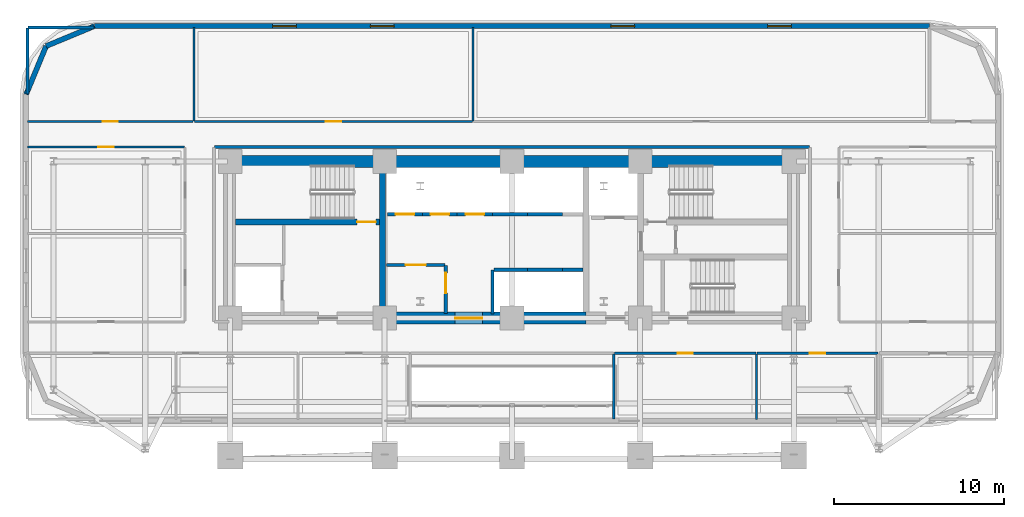
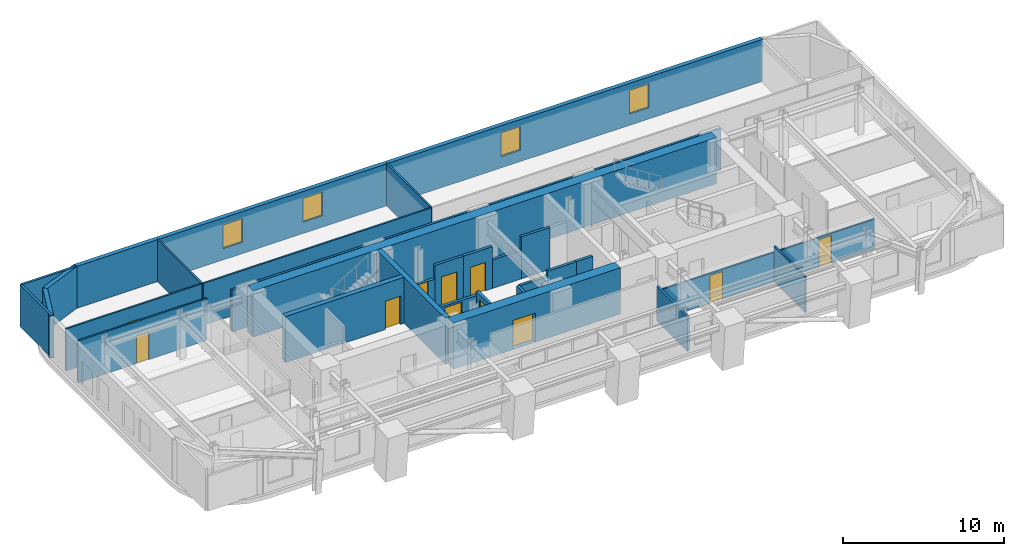
# One storey, part 8 of 15: 30 walls, 12 doors, 4 windows, 16 openings.
"""IFC4 building model written with IfcOpenShell, lengths in metres."""

from ifc_helpers import new_model, si_unit, direction, frame, frame_2d, origin, place, context, subcontext, project, spatial, rectangle, extrude, material, layer, layer_set, type_object, element, fill, save


model = new_model("IFC4")

# Units and contexts
model_context = context("Model", 3, precision=1e-05, world=origin(), true_north=direction((0.0, 1.0)))
body_context = subcontext(model_context, "Body", "Model", "MODEL_VIEW")
ifc_project = project(units=[si_unit("LENGTHUNIT", "METRE"), si_unit("AREAUNIT", "SQUARE_METRE"), si_unit("VOLUMEUNIT", "CUBIC_METRE"), si_unit("PLANEANGLEUNIT", "RADIAN"), si_unit("MASSUNIT", "GRAM", prefix="KILO")], contexts=[model_context])

# Site, building, storey
site_placement = place(None, origin())
site = spatial("IfcSite", under=ifc_project, at=site_placement, CompositionType="ELEMENT")
building_placement = place(site_placement, origin())
building = spatial("IfcBuilding", under=site, at=building_placement, Name="Zarnavel Station Tower", CompositionType="ELEMENT")
storey_placement = place(building_placement, frame((0.0, 0.0, 71.0)))
storey = spatial("IfcBuildingStorey", under=building, at=storey_placement, Name="L19", CompositionType="ELEMENT", Elevation=71.0)

# Wall
ifc_material_1 = material(Name="Concrete C50/60", Category="concrete")
ifc_layer_1 = layer(ifc_material_1, 0.35009765625)
ifc_layer_set_1 = layer_set([ifc_layer_1], Name="CW_350")
wall_type_1 = type_object("IfcWallType", Name="CW_350", PredefinedType="SHEAR", material=ifc_layer_set_1)
wall_1_placement = place(storey_placement, frame((21.179931640625, 28.169921875, 0.0), z_axis=(0.0, 0.0, 1.0), x_axis=(0.0, 1.0, 0.0)))
element("IfcWall", 1, at=wall_1_placement, inside=storey, type_object=wall_type_1, Name="L19 Rear Core Shear Wall DIV-W", PredefinedType="SHEAR", context=body_context, shape_type="SweptSolid", body=[
    extrude(rectangle(XDim=8.530029296875, YDim=0.35009765625, at=frame_2d((4.26513671875, 0.0))), origin(), (0.0, 0.0, 1.0), 3.5),
])

# Wall, opening, door
wall_2_placement = place(storey_placement, frame((21.0048828125, 33.47998046875, 0.0), z_axis=(0.0, 0.0, 1.0), x_axis=(-1.0, 0.0, 0.0)))
wall_2 = element("IfcWall", 2, at=wall_2_placement, inside=storey, type_object=wall_type_1, Name="L19 Rear Core Shear Wall DIV-H1", PredefinedType="SHEAR", context=body_context, shape_type="SweptSolid", body=[
    extrude(rectangle(XDim=8.5048828125, YDim=0.35009765625, at=frame_2d((4.25244140625, 0.0))), origin(), (0.0, 0.0, 1.0), 3.5),
])
opening_1_placement = place(wall_2_placement, frame((0.219970703125, 0.0, 0.0)))
opening_1 = element("IfcOpeningElement", 3, at=opening_1_placement, cuts=wall_2, Name="Opening FD01", PredefinedType="OPENING", context=body_context, shape_type="SweptSolid", body=[
    extrude(rectangle(XDim=1.10009765625, YDim=2.14990234375, at=frame_2d((0.550048828125, 1.074951171875))), frame((0.0, 0.18505859375, 0.0), z_axis=(0.0, -1.0, 0.0), x_axis=(1.0, 0.0, 0.0)), (0.0, 0.0, 1.0), 0.3701171875),
])
ifc_material_2 = material(Name="Painted Galvanised Steel and Hardwood Leaf", Category="steel")
door_type_1 = type_object("IfcDoorType", Name="ID_STAIR_1100", OperationType="NOTDEFINED", PredefinedType="DOOR", material=ifc_material_2)
door_1_placement = place(opening_1_placement, origin())
door_1 = element("IfcDoor", 4, at=door_1_placement, inside=storey, type_object=door_type_1, Name="L19 Stair ST1 Lobby Fire Door", OperationType="SINGLE_SWING_LEFT", OverallHeight=2.14990234375, OverallWidth=1.10009765625, PredefinedType="DOOR", context=body_context, shape_type="SweptSolid", body=[
    extrude(rectangle(XDim=1.10009765625, YDim=2.14990234375, at=frame_2d((0.550048828125, 1.074951171875))), frame((0.0, 0.02490234375, 0.0), z_axis=(0.0, -1.0, 0.0), x_axis=(1.0, 0.0, 0.0)), (0.0, 0.0, 1.0), 0.050048828125),
])
fill(opening_1, door_1)

# Wall
ifc_material_3 = material(Name="Concrete C60/75", Category="concrete")
ifc_layer_2 = layer(ifc_material_3, 0.699951171875)
ifc_layer_set_2 = layer_set([ifc_layer_2], Name="CW_700")
wall_type_2 = type_object("IfcWallType", Name="CW_700", PredefinedType="SHEAR", material=ifc_layer_set_2)
wall_3_placement = place(storey_placement, frame((12.14990234375, 37.050048828125, 0.0), z_axis=(0.0, 0.0, 1.0), x_axis=(1.0, 0.0, 0.0)))
element("IfcWall", 5, at=wall_3_placement, inside=storey, type_object=wall_type_2, Name="L19 Rear Core Shear Wall N", PredefinedType="SHEAR", context=body_context, shape_type="SweptSolid", body=[
    extrude(rectangle(XDim=33.22998046875, YDim=0.699951171875, at=frame_2d((16.614990234375, 0.0))), origin(), (0.0, 0.0, 1.0), 3.5),
])

# Wall, opening, door
wall_4_placement = place(storey_placement, frame((33.14990234375, 27.820068359375, 0.0), z_axis=(0.0, 0.0, 1.0), x_axis=(-1.0, 0.0, 0.0)))
wall_4 = element("IfcWall", 6, at=wall_4_placement, inside=storey, type_object=wall_type_2, Name="L19 Rear Core Shear Wall S-M", PredefinedType="SHEAR", context=body_context, shape_type="SweptSolid", body=[
    extrude(rectangle(XDim=11.969970703125, YDim=0.699951171875, at=frame_2d((5.98486328125, 0.0))), origin(), (0.0, 0.0, 1.0), 3.5),
])
opening_2_placement = place(wall_4_placement, frame((6.10009765625, 0.0, 0.0)))
opening_2 = element("IfcOpeningElement", 7, at=opening_2_placement, cuts=wall_4, Name="Opening ID03", PredefinedType="OPENING", context=body_context, shape_type="SweptSolid", body=[
    extrude(rectangle(XDim=1.60009765625, YDim=2.199951171875, at=frame_2d((0.800048828125, 1.10009765625))), frame((0.0, 0.35986328125, 0.0), z_axis=(0.0, -1.0, 0.0), x_axis=(1.0, 0.0, 0.0)), (0.0, 0.0, 1.0), 0.719970703125),
])
ifc_material_4 = material(Name="Painted Galvanised Steel and Hardwood Leaf", Category="steel")
door_type_2 = type_object("IfcDoorType", Name="ID_PUBLIC_1600", OperationType="DOUBLE_DOOR_SINGLE_SWING", PredefinedType="DOOR", material=ifc_material_4)
door_2_placement = place(opening_2_placement, origin())
door_2 = element("IfcDoor", 8, at=door_2_placement, inside=storey, type_object=door_type_2, Name="L19 Passenger Lift Lobby Double Door", OperationType="SINGLE_SWING_LEFT", OverallHeight=2.199951171875, OverallWidth=1.60009765625, PredefinedType="DOOR", context=body_context, shape_type="SweptSolid", body=[
    extrude(rectangle(XDim=1.60009765625, YDim=2.199951171875, at=frame_2d((0.800048828125, 1.10009765625))), frame((0.0, 0.02490234375, 0.0), z_axis=(0.0, -1.0, 0.0), x_axis=(1.0, 0.0, 0.0)), (0.0, 0.0, 1.0), 0.050048828125),
])
fill(opening_2, door_2)

# Wall, openings, windows
ifc_material_5 = material(Name="Precast concrete C45/55 (Dark Basalt Finish)", Category="masonry")
ifc_layer_3 = layer(ifc_material_5, 0.300048828125)
ifc_layer_set_3 = layer_set([ifc_layer_3], Name="EW_BASALT_300")
wall_type_3 = type_object("IfcWallType", Name="EW_BASALT_300", PredefinedType="SOLIDWALL", material=ifc_layer_set_3)
wall_5_placement = place(storey_placement, frame((4.199951171875, 45.02001953125, 0.0), z_axis=(0.0, 0.0, 1.0), x_axis=(1.0, 0.0, 0.0)))
wall_5 = element("IfcWall", 9, at=wall_5_placement, inside=storey, type_object=wall_type_3, Name="L19 Exterior Basalt Masonry Frame Wall 06", PredefinedType="SOLIDWALL", context=body_context, shape_type="SweptSolid", body=[
    extrude(rectangle(XDim=49.199951171875, YDim=0.300048828125, at=frame_2d((24.60009765625, 0.0))), origin(), (0.0, 0.0, 1.0), 3.179931640625),
])
opening_3_placement = place(wall_5_placement, frame((10.506591796875, 0.0, 0.85009765625)))
opening_3 = element("IfcOpeningElement", 10, at=opening_3_placement, cuts=wall_5, Name="Opening WN01", PredefinedType="OPENING", context=body_context, shape_type="SweptSolid", body=[
    extrude(rectangle(XDim=1.39990234375, YDim=1.800048828125, at=frame_2d((0.699951171875, 0.89990234375))), frame((0.0, 0.159912109375, 0.0), z_axis=(0.0, -1.0, 0.0), x_axis=(1.0, 0.0, 0.0)), (0.0, 0.0, 1.0), 0.320068359375),
])
opening_4_placement = place(wall_5_placement, frame((16.25341796875, 0.0, 0.85009765625)))
opening_4 = element("IfcOpeningElement", 11, at=opening_4_placement, cuts=wall_5, Name="Opening WN01", PredefinedType="OPENING", context=body_context, shape_type="SweptSolid", body=[
    extrude(rectangle(XDim=1.39990234375, YDim=1.800048828125, at=frame_2d((0.699951171875, 0.89990234375))), frame((0.0, 0.159912109375, 0.0), z_axis=(0.0, -1.0, 0.0), x_axis=(1.0, 0.0, 0.0)), (0.0, 0.0, 1.0), 0.320068359375),
])
opening_5_placement = place(wall_5_placement, frame((30.4267578125, 0.0, 0.85009765625)))
opening_5 = element("IfcOpeningElement", 12, at=opening_5_placement, cuts=wall_5, Name="Opening WN01", PredefinedType="OPENING", context=body_context, shape_type="SweptSolid", body=[
    extrude(rectangle(XDim=1.39990234375, YDim=1.800048828125, at=frame_2d((0.699951171875, 0.89990234375))), frame((0.0, 0.159912109375, 0.0), z_axis=(0.0, -1.0, 0.0), x_axis=(1.0, 0.0, 0.0)), (0.0, 0.0, 1.0), 0.320068359375),
])
opening_6_placement = place(wall_5_placement, frame((39.6533203125, 0.0, 0.85009765625)))
opening_6 = element("IfcOpeningElement", 13, at=opening_6_placement, cuts=wall_5, Name="Opening WN01", PredefinedType="OPENING", context=body_context, shape_type="SweptSolid", body=[
    extrude(rectangle(XDim=1.39990234375, YDim=1.800048828125, at=frame_2d((0.699951171875, 0.89990234375))), frame((0.0, 0.159912109375, 0.0), z_axis=(0.0, -1.0, 0.0), x_axis=(1.0, 0.0, 0.0)), (0.0, 0.0, 1.0), 0.320068359375),
])
ifc_material_6 = material(Name="Thermally Broken Black Aluminium and Low-E Dark Glass", Category="aluminium")
window_type = type_object("IfcWindowType", Name="WN_1400x1800", PartitioningType="DOUBLE_PANEL_VERTICAL", PredefinedType="WINDOW", material=ifc_material_6)
window_1_placement = place(opening_3_placement, origin())
window_1 = element("IfcWindow", 14, at=window_1_placement, inside=storey, type_object=window_type, Name="L19 Recessed Facade Window 01", OverallHeight=1.800048828125, OverallWidth=1.39990234375, PartitioningType="SINGLE_PANEL", PredefinedType="WINDOW", context=body_context, shape_type="SweptSolid", body=[
    extrude(rectangle(XDim=1.39990234375, YDim=1.800048828125, at=frame_2d((0.699951171875, 0.89990234375))), frame((0.0, 0.030029296875, 0.0), z_axis=(0.0, -1.0, 0.0), x_axis=(1.0, 0.0, 0.0)), (0.0, 0.0, 1.0), 0.06005859375),
])
fill(opening_3, window_1)
window_2_placement = place(opening_4_placement, origin())
window_2 = element("IfcWindow", 15, at=window_2_placement, inside=storey, type_object=window_type, Name="L19 Recessed Facade Window 02", OverallHeight=1.800048828125, OverallWidth=1.39990234375, PartitioningType="SINGLE_PANEL", PredefinedType="WINDOW", context=body_context, shape_type="SweptSolid", body=[
    extrude(rectangle(XDim=1.39990234375, YDim=1.800048828125, at=frame_2d((0.699951171875, 0.89990234375))), frame((0.0, 0.030029296875, 0.0), z_axis=(0.0, -1.0, 0.0), x_axis=(1.0, 0.0, 0.0)), (0.0, 0.0, 1.0), 0.06005859375),
])
fill(opening_4, window_2)
window_3_placement = place(opening_5_placement, origin())
window_3 = element("IfcWindow", 16, at=window_3_placement, inside=storey, type_object=window_type, Name="L19 Recessed Facade Window 03", OverallHeight=1.800048828125, OverallWidth=1.39990234375, PartitioningType="SINGLE_PANEL", PredefinedType="WINDOW", context=body_context, shape_type="SweptSolid", body=[
    extrude(rectangle(XDim=1.39990234375, YDim=1.800048828125, at=frame_2d((0.699951171875, 0.89990234375))), frame((0.0, 0.030029296875, 0.0), z_axis=(0.0, -1.0, 0.0), x_axis=(1.0, 0.0, 0.0)), (0.0, 0.0, 1.0), 0.06005859375),
])
fill(opening_5, window_3)
window_4_placement = place(opening_6_placement, origin())
window_4 = element("IfcWindow", 17, at=window_4_placement, inside=storey, type_object=window_type, Name="L19 Recessed Facade Window 04", OverallHeight=1.800048828125, OverallWidth=1.39990234375, PartitioningType="SINGLE_PANEL", PredefinedType="WINDOW", context=body_context, shape_type="SweptSolid", body=[
    extrude(rectangle(XDim=1.39990234375, YDim=1.800048828125, at=frame_2d((0.699951171875, 0.89990234375))), frame((0.0, 0.030029296875, 0.0), z_axis=(0.0, -1.0, 0.0), x_axis=(1.0, 0.0, 0.0)), (0.0, 0.0, 1.0), 0.06005859375),
])
fill(opening_6, window_4)

# Walls
for number, where, z_axis, x_axis, name in (
    (18, (1.357421875, 43.842529296875, 0.0), (0.0, 0.0, 1.0), (0.923870793506, 0.382704529509, 0.0), "L19 Exterior Basalt Masonry Frame Wall 07"),
    (19, (0.179931640625, 41.0, 0.0), (0.0, 0.0, 1.0), (0.382704529509, 0.923870793506, 0.0), "L19 Exterior Basalt Masonry Frame Wall 08"),
):
    element("IfcWall", number, at=place(storey_placement, frame(where, z_axis=z_axis, x_axis=x_axis)), inside=storey, type_object=wall_type_3, Name=name, PredefinedType="SOLIDWALL", context=body_context, shape_type="SweptSolid", body=[
        extrude(rectangle(XDim=3.07666015625, YDim=0.300048828125, at=frame_2d((1.538330078125, 0.0))), origin(), (0.0, 0.0, 1.0), 3.179931640625),
    ])
ifc_material_7 = material(Name="Gypsum Twin-Stud Acoustic Fire Partition", Category="concrete")
ifc_layer_4 = layer(ifc_material_7, 0.159912109375)
ifc_layer_set_4 = layer_set([ifc_layer_4], Name="PT_DEMISE_160")
wall_type_4 = type_object("IfcWallType", Name="PT_DEMISE_160", PredefinedType="PARTITIONING", material=ifc_layer_set_4)
wall_6_placement = place(storey_placement, frame((11.280029296875, 37.89990234375, 0.0), z_axis=(0.0, 0.0, 1.0), x_axis=(1.0, 0.0, 0.0)))
element("IfcWall", 20, at=wall_6_placement, inside=storey, type_object=wall_type_4, Name="L19 Enclosure Wall COR-N", PredefinedType="PARTITIONING", context=body_context, shape_type="SweptSolid", body=[
    extrude(rectangle(XDim=35.0400390625, YDim=0.159912109375, at=frame_2d((17.52001953125, 0.0))), origin(), (0.0, 0.0, 1.0), 3.179931640625),
])
for number, where, z_axis, x_axis, name in (
    (21, (0.2900390625, 44.93994140625, 0.0), (0.0, 0.0, 1.0), (1.0, 0.0, 0.0), "L19 Enclosure Wall HSKP"),
    (22, (0.260009765625, 41.030029296875, 0.0), (0.0, 0.0, 1.0), (0.0, 1.0, 0.0), "L19 Enclosure Wall HSKP"),
):
    element("IfcWall", number, at=place(storey_placement, frame(where, z_axis=z_axis, x_axis=x_axis)), inside=storey, type_object=wall_type_4, Name=name, PredefinedType="PARTITIONING", context=body_context, shape_type="SweptSolid", body=[
        extrude(rectangle(XDim=3.8798828125, YDim=0.159912109375, at=frame_2d((1.93994140625, 0.0))), origin(), (0.0, 0.0, 1.0), 3.179931640625),
    ])
wall_7_placement = place(storey_placement, frame((34.800048828125, 21.889892578125, 0.0), z_axis=(0.0, 0.0, 1.0), x_axis=(0.0, 1.0, 0.0)))
element("IfcWall", 23, at=wall_7_placement, inside=storey, type_object=wall_type_4, Name="L19 Enclosure Wall Z1DIN", PredefinedType="PARTITIONING", context=body_context, shape_type="SweptSolid", body=[
    extrude(rectangle(XDim=3.830078125, YDim=0.159912109375, at=frame_2d((1.9150390625, 0.0))), origin(), (0.0, 0.0, 1.0), 2.6201171875),
])

# Wall, opening, door
ifc_material_8 = material(Name="Gypsum Metal-Stud Interior Partition", Category="concrete")
ifc_layer_5 = layer(ifc_material_8, 0.1201171875)
ifc_layer_set_5 = layer_set([ifc_layer_5], Name="PT_ROOM_120")
wall_type_5 = type_object("IfcWallType", Name="PT_ROOM_120", PredefinedType="PARTITIONING", material=ifc_layer_set_5)
wall_8_placement = place(storey_placement, frame((34.840087890625, 25.75, 0.0), z_axis=(0.0, 0.0, 1.0), x_axis=(1.0, 0.0, 0.0)))
wall_8 = element("IfcWall", 24, at=wall_8_placement, inside=storey, type_object=wall_type_5, Name="L19 Partition COR-S-Z1DIN", PredefinedType="PARTITIONING", context=body_context, shape_type="SweptSolid", body=[
    extrude(rectangle(XDim=8.31982421875, YDim=0.1201171875, at=frame_2d((4.159912109375, 0.0))), origin(), (0.0, 0.0, 1.0), 2.25),
])
opening_7_placement = place(wall_8_placement, frame((3.7099609375, 0.0, 0.0)))
opening_7 = element("IfcOpeningElement", 25, at=opening_7_placement, cuts=wall_8, Name="Opening ID01", PredefinedType="OPENING", context=body_context, shape_type="SweptSolid", body=[
    extrude(rectangle(XDim=0.89990234375, YDim=2.10009765625, at=frame_2d((0.449951171875, 1.050048828125))), frame((0.0, 0.070068359375, 0.0), z_axis=(0.0, -1.0, 0.0), x_axis=(1.0, 0.0, 0.0)), (0.0, 0.0, 1.0), 0.14013671875),
])
ifc_material_9 = material(Name="Painted Galvanised Steel and Hardwood Leaf", Category="steel")
door_type_3 = type_object("IfcDoorType", Name="ID_ROOM_900", OperationType="NOTDEFINED", PredefinedType="DOOR", material=ifc_material_9)
door_3_placement = place(opening_7_placement, origin())
door_3 = element("IfcDoor", 26, at=door_3_placement, inside=storey, type_object=door_type_3, Name="L19 Door COR-S-Z1DIN", OperationType="SINGLE_SWING_LEFT", OverallHeight=2.10009765625, OverallWidth=0.89990234375, PredefinedType="DOOR", context=body_context, shape_type="SweptSolid", body=[
    extrude(rectangle(XDim=0.89990234375, YDim=2.10009765625, at=frame_2d((0.449951171875, 1.050048828125))), frame((0.0, 0.02490234375, 0.0), z_axis=(0.0, -1.0, 0.0), x_axis=(1.0, 0.0, 0.0)), (0.0, 0.0, 1.0), 0.050048828125),
])
fill(opening_7, door_3)

wall_9_placement = place(storey_placement, frame((43.239990234375, 25.75, 0.0), z_axis=(0.0, 0.0, 1.0), x_axis=(1.0, 0.0, 0.0)))
wall_9 = element("IfcWall", 27, at=wall_9_placement, inside=storey, type_object=wall_type_5, Name="L19 Partition COR-S-Z1BAR", PredefinedType="PARTITIONING", context=body_context, shape_type="SweptSolid", body=[
    extrude(rectangle(XDim=7.1201171875, YDim=0.1201171875, at=frame_2d((3.56005859375, 0.0))), origin(), (0.0, 0.0, 1.0), 2.25),
])
opening_8_placement = place(wall_9_placement, frame((3.110107421875, 0.0, 0.0)))
opening_8 = element("IfcOpeningElement", 28, at=opening_8_placement, cuts=wall_9, Name="Opening ID01", PredefinedType="OPENING", context=body_context, shape_type="SweptSolid", body=[
    extrude(rectangle(XDim=0.89990234375, YDim=2.10009765625, at=frame_2d((0.449951171875, 1.050048828125))), frame((0.0, 0.070068359375, 0.0), z_axis=(0.0, -1.0, 0.0), x_axis=(1.0, 0.0, 0.0)), (0.0, 0.0, 1.0), 0.14013671875),
])
door_4_placement = place(opening_8_placement, origin())
door_4 = element("IfcDoor", 29, at=door_4_placement, inside=storey, type_object=door_type_3, Name="L19 Door COR-S-Z1BAR", OperationType="SINGLE_SWING_RIGHT", OverallHeight=2.10009765625, OverallWidth=0.89990234375, PredefinedType="DOOR", context=body_context, shape_type="SweptSolid", body=[
    extrude(rectangle(XDim=0.89990234375, YDim=2.10009765625, at=frame_2d((0.449951171875, 1.050048828125))), frame((0.0, 0.02490234375, 0.0), z_axis=(0.0, -1.0, 0.0), x_axis=(1.0, 0.0, 0.0)), (0.0, 0.0, 1.0), 0.050048828125),
])
fill(opening_8, door_4)

wall_10_placement = place(storey_placement, frame((0.260009765625, 37.89990234375, 0.0), z_axis=(0.0, 0.0, 1.0), x_axis=(1.0, 0.0, 0.0)))
wall_10 = element("IfcWall", 30, at=wall_10_placement, inside=storey, type_object=wall_type_5, Name="L19 Partition COR-N-FNW6B", PredefinedType="PARTITIONING", context=body_context, shape_type="SweptSolid", body=[
    extrude(rectangle(XDim=9.25, YDim=0.1201171875, at=frame_2d((4.625, 0.0))), origin(), (0.0, 0.0, 1.0), 3.179931640625),
])
opening_9_placement = place(wall_10_placement, frame((4.175048828125, 0.0, 0.0)))
opening_9 = element("IfcOpeningElement", 31, at=opening_9_placement, cuts=wall_10, Name="Opening ID01", PredefinedType="OPENING", context=body_context, shape_type="SweptSolid", body=[
    extrude(rectangle(XDim=0.89990234375, YDim=2.10009765625, at=frame_2d((0.449951171875, 1.050048828125))), frame((0.0, 0.070068359375, 0.0), z_axis=(0.0, -1.0, 0.0), x_axis=(1.0, 0.0, 0.0)), (0.0, 0.0, 1.0), 0.14013671875),
])
door_5_placement = place(opening_9_placement, origin())
door_5 = element("IfcDoor", 32, at=door_5_placement, inside=storey, type_object=door_type_3, Name="L19 Door COR-N-FNW6B", OperationType="SINGLE_SWING_RIGHT", OverallHeight=2.10009765625, OverallWidth=0.89990234375, PredefinedType="DOOR", context=body_context, shape_type="SweptSolid", body=[
    extrude(rectangle(XDim=0.89990234375, YDim=2.10009765625, at=frame_2d((0.449951171875, 1.050048828125))), frame((0.0, 0.02490234375, 0.0), z_axis=(0.0, -1.0, 0.0), x_axis=(1.0, 0.0, 0.0)), (0.0, 0.0, 1.0), 0.050048828125),
])
fill(opening_9, door_5)

wall_11_placement = place(storey_placement, frame((0.260009765625, 39.39990234375, 0.0), z_axis=(0.0, 0.0, 1.0), x_axis=(1.0, 0.0, 0.0)))
wall_11 = element("IfcWall", 33, at=wall_11_placement, inside=storey, type_object=wall_type_5, Name="L19 Partition COR-N-HSKP", PredefinedType="PARTITIONING", context=body_context, shape_type="SweptSolid", body=[
    extrude(rectangle(XDim=9.760009765625, YDim=0.1201171875, at=frame_2d((4.8798828125, 0.0))), origin(), (0.0, 0.0, 1.0), 3.179931640625),
])
opening_10_placement = place(wall_11_placement, frame((4.429931640625, 0.0, 0.0)))
opening_10 = element("IfcOpeningElement", 34, at=opening_10_placement, cuts=wall_11, Name="Opening ID01", PredefinedType="OPENING", context=body_context, shape_type="SweptSolid", body=[
    extrude(rectangle(XDim=0.89990234375, YDim=2.10009765625, at=frame_2d((0.449951171875, 1.050048828125))), frame((0.0, 0.070068359375, 0.0), z_axis=(0.0, -1.0, 0.0), x_axis=(1.0, 0.0, 0.0)), (0.0, 0.0, 1.0), 0.14013671875),
])
door_6_placement = place(opening_10_placement, origin())
door_6 = element("IfcDoor", 35, at=door_6_placement, inside=storey, type_object=door_type_3, Name="L19 Door COR-N-HSKP", OperationType="SINGLE_SWING_RIGHT", OverallHeight=2.10009765625, OverallWidth=0.89990234375, PredefinedType="DOOR", context=body_context, shape_type="SweptSolid", body=[
    extrude(rectangle(XDim=0.89990234375, YDim=2.10009765625, at=frame_2d((0.449951171875, 1.050048828125))), frame((0.0, 0.02490234375, 0.0), z_axis=(0.0, -1.0, 0.0), x_axis=(1.0, 0.0, 0.0)), (0.0, 0.0, 1.0), 0.050048828125),
])
fill(opening_10, door_6)

wall_12_placement = place(storey_placement, frame((10.10009765625, 39.39990234375, 0.0), z_axis=(0.0, 0.0, 1.0), x_axis=(1.0, 0.0, 0.0)))
wall_12 = element("IfcWall", 36, at=wall_12_placement, inside=storey, type_object=wall_type_5, Name="L19 Partition COR-N-NL6A", PredefinedType="PARTITIONING", context=body_context, shape_type="SweptSolid", body=[
    extrude(rectangle(XDim=16.35986328125, YDim=0.1201171875, at=frame_2d((8.179931640625, 0.0))), origin(), (0.0, 0.0, 1.0), 3.179931640625),
])
opening_11_placement = place(wall_12_placement, frame((7.72998046875, 0.0, 0.0)))
opening_11 = element("IfcOpeningElement", 37, at=opening_11_placement, cuts=wall_12, Name="Opening ID01", PredefinedType="OPENING", context=body_context, shape_type="SweptSolid", body=[
    extrude(rectangle(XDim=0.89990234375, YDim=2.10009765625, at=frame_2d((0.449951171875, 1.050048828125))), frame((0.0, 0.070068359375, 0.0), z_axis=(0.0, -1.0, 0.0), x_axis=(1.0, 0.0, 0.0)), (0.0, 0.0, 1.0), 0.14013671875),
])
door_7_placement = place(opening_11_placement, origin())
door_7 = element("IfcDoor", 38, at=door_7_placement, inside=storey, type_object=door_type_3, Name="L19 Door COR-N-NL6A", OperationType="SINGLE_SWING_LEFT", OverallHeight=2.10009765625, OverallWidth=0.89990234375, PredefinedType="DOOR", context=body_context, shape_type="SweptSolid", body=[
    extrude(rectangle(XDim=0.89990234375, YDim=2.10009765625, at=frame_2d((0.449951171875, 1.050048828125))), frame((0.0, 0.02490234375, 0.0), z_axis=(0.0, -1.0, 0.0), x_axis=(1.0, 0.0, 0.0)), (0.0, 0.0, 1.0), 0.050048828125),
])
fill(opening_11, door_7)

# Walls
for number, where, z_axis, x_axis, name in (
    (39, (10.06005859375, 39.43994140625, 0.0), (0.0, 0.0, 1.0), (0.0, 1.0, 0.0), "L19 Partition HSKP-NL6A"),
    (40, (26.5, 39.43994140625, 0.0), (0.0, 0.0, 1.0), (0.0, 1.0, 0.0), "L19 Partition NL6A-NL6B"),
):
    element("IfcWall", number, at=place(storey_placement, frame(where, z_axis=z_axis, x_axis=x_axis)), inside=storey, type_object=wall_type_5, Name=name, PredefinedType="PARTITIONING", context=body_context, shape_type="SweptSolid", body=[
        extrude(rectangle(XDim=5.5, YDim=0.1201171875, at=frame_2d((2.75, 0.0))), origin(), (0.0, 0.0, 1.0), 3.179931640625),
    ])
wall_13_placement = place(storey_placement, frame((43.199951171875, 21.860107421875, 0.0), z_axis=(0.0, 0.0, 1.0), x_axis=(0.0, 1.0, 0.0)))
element("IfcWall", 41, at=wall_13_placement, inside=storey, type_object=wall_type_5, Name="L19 Partition Z1DIN-Z1BAR", PredefinedType="PARTITIONING", context=body_context, shape_type="SweptSolid", body=[
    extrude(rectangle(XDim=3.849853515625, YDim=0.1201171875, at=frame_2d((1.9248046875, 0.0))), origin(), (0.0, 0.0, 1.0), 2.719970703125),
])
ifc_material_10 = material(Name="Precast concrete C45/55 (Fire Shaft Blockwork)", Category="masonry")
ifc_layer_6 = layer(ifc_material_10, 0.199951171875)
ifc_layer_set_6 = layer_set([ifc_layer_6], Name="PT_SHAFT_200")
wall_type_6 = type_object("IfcWallType", Name="PT_SHAFT_200", PredefinedType="PARTITIONING", material=ifc_layer_set_6)
wall_14_placement = place(storey_placement, frame((27.75, 30.669921875, 0.0), z_axis=(0.0, 0.0, 1.0), x_axis=(1.0, 0.0, 0.0)))
element("IfcWall", 42, at=wall_14_placement, inside=storey, type_object=wall_type_6, Name="L19 Lift PL-H1 Shaft Front Wall", PredefinedType="PARTITIONING", context=body_context, shape_type="SweptSolid", body=[
    extrude(rectangle(XDim=1.97509765625, YDim=0.199951171875, at=frame_2d((0.987548828125, 0.0))), origin(), (0.0, 0.0, 1.0), 2.152099609375),
])
wall_15_placement = place(storey_placement, frame((27.64990234375, 28.070068359375, 0.0), z_axis=(0.0, 0.0, 1.0), x_axis=(0.0, 1.0, 0.0)))
element("IfcWall", 43, at=wall_15_placement, inside=storey, type_object=wall_type_6, Name="L19 High-Rise Lift Bank West Shaft Wall", PredefinedType="PARTITIONING", context=body_context, shape_type="SweptSolid", body=[
    extrude(rectangle(XDim=2.579833984375, YDim=0.199951171875, at=frame_2d((1.2900390625, 0.0))), origin(), (0.0, 0.0, 1.0), 2.152099609375),
])
wall_16_placement = place(storey_placement, frame((29.72509765625, 30.669921875, 0.0), z_axis=(0.0, 0.0, 1.0), x_axis=(1.0, 0.0, 0.0)))
element("IfcWall", 44, at=wall_16_placement, inside=storey, type_object=wall_type_6, Name="L19 Lift PL-H2 Shaft Front Wall", PredefinedType="PARTITIONING", context=body_context, shape_type="SweptSolid", body=[
    extrude(rectangle(XDim=2.0498046875, YDim=0.199951171875, at=frame_2d((1.02490234375, 0.0))), origin(), (0.0, 0.0, 1.0), 2.56005859375),
])
wall_17_placement = place(storey_placement, frame((31.77490234375, 30.669921875, 0.0), z_axis=(0.0, 0.0, 1.0), x_axis=(1.0, 0.0, 0.0)))
element("IfcWall", 45, at=wall_17_placement, inside=storey, type_object=wall_type_6, Name="L19 Lift PL-H3 Shaft Front Wall", PredefinedType="PARTITIONING", context=body_context, shape_type="SweptSolid", body=[
    extrude(rectangle(XDim=1.2001953125, YDim=0.199951171875, at=frame_2d((0.60009765625, 0.0))), origin(), (0.0, 0.0, 1.0), 2.56005859375),
])

# Wall, opening, door
wall_18_placement = place(storey_placement, frame((21.4599609375, 33.929931640625, 0.0), z_axis=(0.0, 0.0, 1.0), x_axis=(1.0, 0.0, 0.0)))
wall_18 = element("IfcWall", 46, at=wall_18_placement, inside=storey, type_object=wall_type_6, Name="L19 Lift PL-L1 Shaft Front Wall", PredefinedType="PARTITIONING", context=body_context, shape_type="SweptSolid", body=[
    extrude(rectangle(XDim=2.06494140625, YDim=0.199951171875, at=frame_2d((1.032470703125, 0.0))), origin(), (0.0, 0.0, 1.0), 2.152099609375),
])
opening_12_placement = place(wall_18_placement, frame((0.482421875, 0.0, 0.0)))
opening_12 = element("IfcOpeningElement", 47, at=opening_12_placement, cuts=wall_18, Name="Opening LD02", PredefinedType="OPENING", context=body_context, shape_type="SweptSolid", body=[
    extrude(rectangle(XDim=1.10009765625, YDim=2.14990234375, at=frame_2d((0.550048828125, 1.074951171875))), frame((0.0, 0.10986328125, 0.0), z_axis=(0.0, -1.0, 0.0), x_axis=(1.0, 0.0, 0.0)), (0.0, 0.0, 1.0), 0.219970703125),
])
ifc_material_11 = material(Name="Painted Galvanised Steel and Hardwood Leaf", Category="steel")
door_type_4 = type_object("IfcDoorType", Name="LD_PAX_1100", OperationType="DOUBLE_DOOR_SLIDING", PredefinedType="DOOR", material=ifc_material_11)
door_8_placement = place(opening_12_placement, origin())
door_8 = element("IfcDoor", 48, at=door_8_placement, inside=storey, type_object=door_type_4, Name="L19 Lift PL-L1 Sliding Landing Door", OperationType="DOUBLE_DOOR_SLIDING", OverallHeight=2.14990234375, OverallWidth=1.10009765625, PredefinedType="DOOR", context=body_context, shape_type="SweptSolid", body=[
    extrude(rectangle(XDim=1.10009765625, YDim=2.14990234375, at=frame_2d((0.550048828125, 1.074951171875))), frame((0.0, 0.02490234375, 0.0), z_axis=(0.0, -1.0, 0.0), x_axis=(1.0, 0.0, 0.0)), (0.0, 0.0, 1.0), 0.050048828125),
])
fill(opening_12, door_8)

wall_19_placement = place(storey_placement, frame((23.52490234375, 33.929931640625, 0.0), z_axis=(0.0, 0.0, 1.0), x_axis=(1.0, 0.0, 0.0)))
wall_19 = element("IfcWall", 49, at=wall_19_placement, inside=storey, type_object=wall_type_6, Name="L19 Lift PL-L2 Shaft Front Wall", PredefinedType="PARTITIONING", context=body_context, shape_type="SweptSolid", body=[
    extrude(rectangle(XDim=2.050048828125, YDim=0.199951171875, at=frame_2d((1.02490234375, 0.0))), origin(), (0.0, 0.0, 1.0), 3.179931640625),
])
opening_13_placement = place(wall_19_placement, frame((0.47509765625, 0.0, 0.0)))
opening_13 = element("IfcOpeningElement", 50, at=opening_13_placement, cuts=wall_19, Name="Opening LD02", PredefinedType="OPENING", context=body_context, shape_type="SweptSolid", body=[
    extrude(rectangle(XDim=1.10009765625, YDim=2.14990234375, at=frame_2d((0.550048828125, 1.074951171875))), frame((0.0, 0.10986328125, 0.0), z_axis=(0.0, -1.0, 0.0), x_axis=(1.0, 0.0, 0.0)), (0.0, 0.0, 1.0), 0.219970703125),
])
door_9_placement = place(opening_13_placement, origin())
door_9 = element("IfcDoor", 51, at=door_9_placement, inside=storey, type_object=door_type_4, Name="L19 Lift PL-L2 Sliding Landing Door", OperationType="DOUBLE_DOOR_SLIDING", OverallHeight=2.14990234375, OverallWidth=1.10009765625, PredefinedType="DOOR", context=body_context, shape_type="SweptSolid", body=[
    extrude(rectangle(XDim=1.10009765625, YDim=2.14990234375, at=frame_2d((0.550048828125, 1.074951171875))), frame((0.0, 0.02490234375, 0.0), z_axis=(0.0, -1.0, 0.0), x_axis=(1.0, 0.0, 0.0)), (0.0, 0.0, 1.0), 0.050048828125),
])
fill(opening_13, door_9)

wall_20_placement = place(storey_placement, frame((25.574951171875, 33.929931640625, 0.0), z_axis=(0.0, 0.0, 1.0), x_axis=(1.0, 0.0, 0.0)))
wall_20 = element("IfcWall", 52, at=wall_20_placement, inside=storey, type_object=wall_type_6, Name="L19 Lift PL-L3 Shaft Front Wall", PredefinedType="PARTITIONING", context=body_context, shape_type="SweptSolid", body=[
    extrude(rectangle(XDim=2.074951171875, YDim=0.199951171875, at=frame_2d((1.03759765625, 0.0))), origin(), (0.0, 0.0, 1.0), 3.179931640625),
])
opening_14_placement = place(wall_20_placement, frame((0.487548828125, 0.0, 0.0)))
opening_14 = element("IfcOpeningElement", 53, at=opening_14_placement, cuts=wall_20, Name="Opening LD02", PredefinedType="OPENING", context=body_context, shape_type="SweptSolid", body=[
    extrude(rectangle(XDim=1.10009765625, YDim=2.14990234375, at=frame_2d((0.550048828125, 1.074951171875))), frame((0.0, 0.10986328125, 0.0), z_axis=(0.0, -1.0, 0.0), x_axis=(1.0, 0.0, 0.0)), (0.0, 0.0, 1.0), 0.219970703125),
])
door_10_placement = place(opening_14_placement, origin())
door_10 = element("IfcDoor", 54, at=door_10_placement, inside=storey, type_object=door_type_4, Name="L19 Lift PL-L3 Sliding Landing Door", OperationType="DOUBLE_DOOR_SLIDING", OverallHeight=2.14990234375, OverallWidth=1.10009765625, PredefinedType="DOOR", context=body_context, shape_type="SweptSolid", body=[
    extrude(rectangle(XDim=1.10009765625, YDim=2.14990234375, at=frame_2d((0.550048828125, 1.074951171875))), frame((0.0, 0.02490234375, 0.0), z_axis=(0.0, -1.0, 0.0), x_axis=(1.0, 0.0, 0.0)), (0.0, 0.0, 1.0), 0.050048828125),
])
fill(opening_14, door_10)

# Walls
wall_21_placement = place(storey_placement, frame((27.64990234375, 33.929931640625, 0.0), z_axis=(0.0, 0.0, 1.0), x_axis=(1.0, 0.0, 0.0)))
element("IfcWall", 55, at=wall_21_placement, inside=storey, type_object=wall_type_6, Name="L19 Lift PL-M1 Shaft Front Wall", PredefinedType="PARTITIONING", context=body_context, shape_type="SweptSolid", body=[
    extrude(rectangle(XDim=2.0751953125, YDim=0.199951171875, at=frame_2d((1.03759765625, 0.0))), origin(), (0.0, 0.0, 1.0), 2.152099609375),
])
wall_22_placement = place(storey_placement, frame((29.72509765625, 33.929931640625, 0.0), z_axis=(0.0, 0.0, 1.0), x_axis=(1.0, 0.0, 0.0)))
element("IfcWall", 56, at=wall_22_placement, inside=storey, type_object=wall_type_6, Name="L19 Lift PL-M2 Shaft Front Wall", PredefinedType="PARTITIONING", context=body_context, shape_type="SweptSolid", body=[
    extrude(rectangle(XDim=2.0498046875, YDim=0.199951171875, at=frame_2d((1.02490234375, 0.0))), origin(), (0.0, 0.0, 1.0), 3.179931640625),
])

# Wall, opening, door
wall_23_placement = place(storey_placement, frame((21.39990234375, 30.949951171875, 0.0), z_axis=(0.0, 0.0, 1.0), x_axis=(1.0, 0.0, 0.0)))
wall_23 = element("IfcWall", 57, at=wall_23_placement, inside=storey, type_object=wall_type_6, Name="L19 Partition LLOB-CS1", PredefinedType="PARTITIONING", context=body_context, shape_type="SweptSolid", body=[
    extrude(rectangle(XDim=3.460205078125, YDim=0.199951171875, at=frame_2d((1.72998046875, 0.0))), origin(), (0.0, 0.0, 1.0), 2.280029296875),
])
opening_15_placement = place(wall_23_placement, frame((1.1298828125, 0.0, 0.0)))
opening_15 = element("IfcOpeningElement", 58, at=opening_15_placement, cuts=wall_23, Name="Opening FD03", PredefinedType="OPENING", context=body_context, shape_type="SweptSolid", body=[
    extrude(rectangle(XDim=1.199951171875, YDim=2.14990234375, at=frame_2d((0.60009765625, 1.074951171875))), frame((0.0, 0.10986328125, 0.0), z_axis=(0.0, -1.0, 0.0), x_axis=(1.0, 0.0, 0.0)), (0.0, 0.0, 1.0), 0.219970703125),
])
ifc_material_12 = material(Name="Painted Galvanised Steel and Hardwood Leaf", Category="steel")
door_type_5 = type_object("IfcDoorType", Name="ID_PLANT_1200", OperationType="NOTDEFINED", PredefinedType="DOOR", material=ifc_material_12)
door_11_placement = place(opening_15_placement, origin())
door_11 = element("IfcDoor", 59, at=door_11_placement, inside=storey, type_object=door_type_5, Name="L19 Door LLOB-CS1", OperationType="SINGLE_SWING_RIGHT", OverallHeight=2.14990234375, OverallWidth=1.199951171875, PredefinedType="DOOR", context=body_context, shape_type="SweptSolid", body=[
    extrude(rectangle(XDim=1.199951171875, YDim=2.14990234375, at=frame_2d((0.60009765625, 1.074951171875))), frame((0.0, 0.02490234375, 0.0), z_axis=(0.0, -1.0, 0.0), x_axis=(1.0, 0.0, 0.0)), (0.0, 0.0, 1.0), 0.050048828125),
])
fill(opening_15, door_11)

wall_24_placement = place(storey_placement, frame((24.89990234375, 30.909912109375, 0.0), z_axis=(0.0, 0.0, 1.0), x_axis=(0.0, -1.0, 0.0)))
wall_24 = element("IfcWall", 60, at=wall_24_placement, inside=storey, type_object=wall_type_6, Name="L19 Partition LLOBS-CS1", PredefinedType="PARTITIONING", context=body_context, shape_type="SweptSolid", body=[
    extrude(rectangle(XDim=2.81982421875, YDim=0.199951171875, at=frame_2d((1.409912109375, 0.0))), origin(), (0.0, 0.0, 1.0), 2.56005859375),
])
opening_16_placement = place(wall_24_placement, frame((0.419189453125, 0.0, 0.0)))
opening_16 = element("IfcOpeningElement", 61, at=opening_16_placement, cuts=wall_24, Name="Opening FD03", PredefinedType="OPENING", context=body_context, shape_type="SweptSolid", body=[
    extrude(rectangle(XDim=1.199951171875, YDim=2.14990234375, at=frame_2d((0.60009765625, 1.074951171875))), frame((0.0, 0.10986328125, 0.0), z_axis=(0.0, -1.0, 0.0), x_axis=(1.0, 0.0, 0.0)), (0.0, 0.0, 1.0), 0.219970703125),
])
door_12_placement = place(opening_16_placement, origin())
door_12 = element("IfcDoor", 62, at=door_12_placement, inside=storey, type_object=door_type_5, Name="L19 Door LLOBS-CS1", OperationType="SINGLE_SWING_LEFT", OverallHeight=2.14990234375, OverallWidth=1.199951171875, PredefinedType="DOOR", context=body_context, shape_type="SweptSolid", body=[
    extrude(rectangle(XDim=1.199951171875, YDim=2.14990234375, at=frame_2d((0.60009765625, 1.074951171875))), frame((0.0, 0.02490234375, 0.0), z_axis=(0.0, -1.0, 0.0), x_axis=(1.0, 0.0, 0.0)), (0.0, 0.0, 1.0), 0.050048828125),
])
fill(opening_16, door_12)

save(model, "model.ifc")
